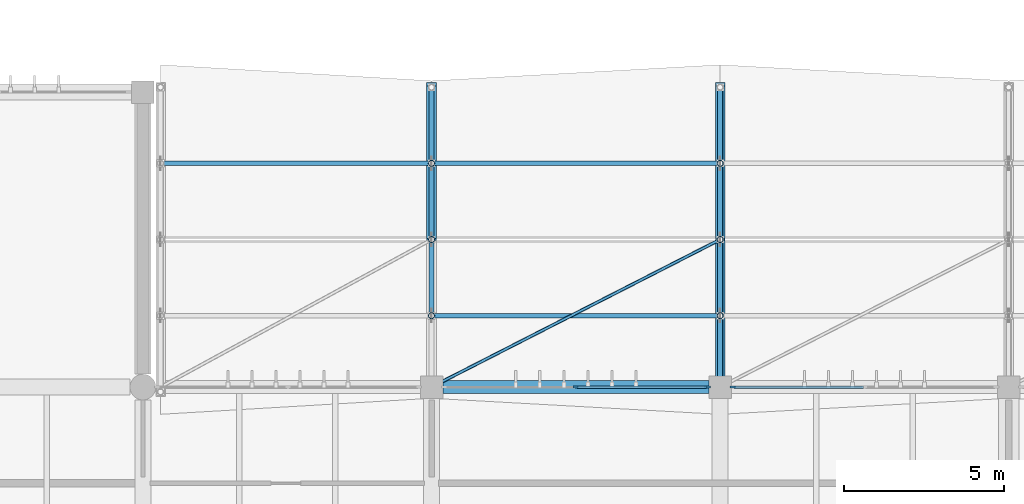
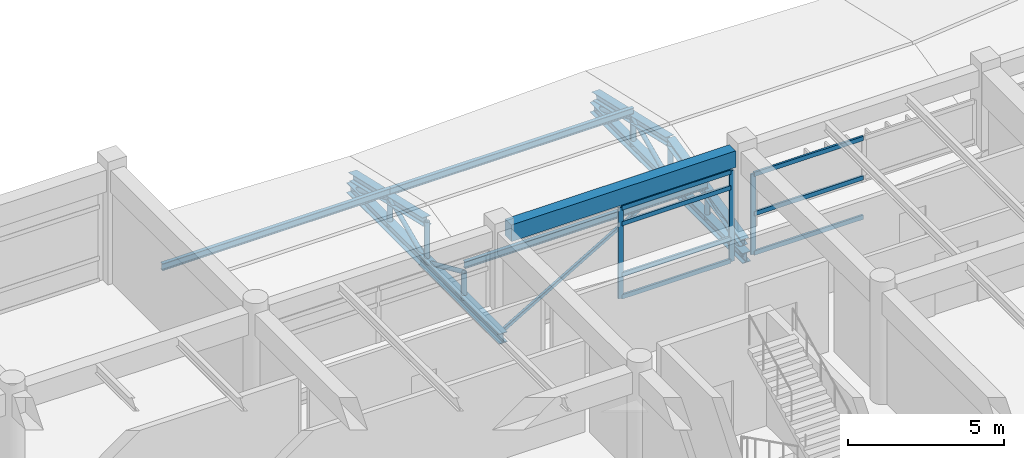
# One storey, part 19 of 90: 30 members, 3 beams, 2 elements without a shape of their own.
"""IFC4 building model written with IfcOpenShell, lengths in metres."""

from ifc_helpers import new_model, si_unit, direction, frame, origin, origin_2d, place, context, subcontext, project, spatial, rectangle, hollow_rectangle, hollow_circle, i_section, extrude, material, material_profile, profile_set, type_object, element, aggregate, save


model = new_model("IFC4")

# Units and contexts
model_context = context("Model", 3, precision=1e-05, world=origin(), true_north=direction((0.0, 1.0)))
body_context = subcontext(model_context, "Body", "Model", "MODEL_VIEW")
ifc_project = project(units=[si_unit("LENGTHUNIT", "METRE"), si_unit("AREAUNIT", "SQUARE_METRE"), si_unit("VOLUMEUNIT", "CUBIC_METRE"), si_unit("PLANEANGLEUNIT", "RADIAN"), si_unit("MASSUNIT", "GRAM", prefix="KILO")], contexts=[model_context])

# Site, building, storey
site_placement = place(None, origin())
site = spatial("IfcSite", under=ifc_project, at=site_placement, CompositionType="ELEMENT")
building_placement = place(site_placement, origin())
building = spatial("IfcBuilding", under=site, at=building_placement, Name="Bozkorgan Art Gallery", CompositionType="ELEMENT")
storey_placement = place(building_placement, frame((0.0, 0.0, 5.39990234375)))
storey = spatial("IfcBuildingStorey", under=building, at=storey_placement, Name="L01", CompositionType="ELEMENT", Elevation=5.39990234375)

# Beams
ifc_material_1 = material(Name="Concrete C35/45", Category="concrete")
ifc_material_profile_1 = material_profile(ifc_material_1, rectangle(XDim=0.39990234375, YDim=0.64990234375, at=origin_2d()), Name="RC 400x650")
ifc_profile_set_1 = profile_set([ifc_material_profile_1], Name="Concrete C35/45")
beam_type_1 = type_object("IfcBeamType", Name="BEAM-SP-69", PredefinedType="SPANDREL", material=ifc_profile_set_1)
beam_placement = place(storey_placement, frame((38.35009765625, 20.0, 4.114990234375), z_axis=(1.0, 0.0, 0.0), x_axis=(0.0, 1.0, 0.0)))
element("IfcBeam", 1, at=beam_placement, inside=storey, type_object=beam_type_1, Name="V1 L01 spandrel X (38-47, 20.0)", PredefinedType="SPANDREL", context=body_context, shape_type="SweptSolid", body=[
    extrude(rectangle(XDim=0.39990234375, YDim=0.64990234375, at=origin_2d()), origin(), (0.0, 0.0, 1.0), 8.2998046875),
])
ifc_material_2 = material(Name="Steel S355J2", Category="steel")
ifc_material_profile_2 = material_profile(ifc_material_2, i_section(OverallWidth=0.300048828125, OverallDepth=0.39990234375, WebThickness=0.013427734375, FlangeThickness=0.02392578125, FilletRadius=0.027099609375, at=origin_2d()), Name="HEB 400")
ifc_profile_set_2 = profile_set([ifc_material_profile_2], Name="Steel S355J2")
beam_type_2 = type_object("IfcBeamType", Name="BEAM-TB-49", PredefinedType="BEAM", material=ifc_profile_set_2)
for number, where, z_axis, x_axis, name in (
    (2, (38.0, 19.7099609375, 0.2001953125), (0.0, 1.0, 0.0), (-1.0, 0.0, 0.0), "ROOF-V1-STEP1 roof truss 2 bottom chord"),
    (3, (47.0, 19.7099609375, 0.2001953125), (0.0, 1.0, 0.0), (-1.0, 0.0, 0.0), "ROOF-V1-STEP1 roof truss 3 bottom chord"),
):
    element("IfcBeam", number, at=place(storey_placement, frame(where, z_axis=z_axis, x_axis=x_axis)), inside=storey, type_object=beam_type_2, Name=name, PredefinedType="BEAM", context=body_context, shape_type="SweptSolid", body=[
        extrude(i_section(OverallWidth=0.300048828125, OverallDepth=0.39990234375, WebThickness=0.013427734375, FlangeThickness=0.02392578125, FilletRadius=0.027099609375, at=origin_2d()), origin(), (0.0, 0.0, 1.0), 9.780029296875),
    ])

# Curtain wall, members
ifc_material_3 = material(Name="Anodised Bronze Aluminium", Category="aluminium")
curtain_wall_type_1 = type_object("IfcCurtainWallType", Name="CW-CW-42", PredefinedType="NOTDEFINED", material=ifc_material_3)
curtain_wall_1_placement = place(storey_placement, origin())
curtain_wall_1 = element("IfcCurtainWall", 4, at=curtain_wall_1_placement, inside=storey, type_object=curtain_wall_type_1, Name="L01 unitised curtain wall CW-V1-L01-1N-07", PredefinedType="NOTDEFINED")
ifc_material_profile_3 = material_profile(ifc_material_3, rectangle(XDim=0.06494140625, YDim=0.179931640625, at=origin_2d()), Name="ALU MULLION 65x180")
ifc_profile_set_3 = profile_set([ifc_material_profile_3], Name="Anodised Bronze Aluminium")
member_type_1 = type_object("IfcMemberType", Name="CWM-01", PredefinedType="MULLION", material=ifc_profile_set_3)
member_1_placement = place(storey_placement, frame((42.5, 20.0, 0.02001953125), z_axis=(0.0, 0.0, 1.0), x_axis=(0.0, 1.0, 0.0)))
member_1 = element("IfcMember", 5, at=member_1_placement, type_object=member_type_1, Name="CW-42 mullion 2", PredefinedType="MULLION", context=body_context, shape_type="SweptSolid", body=[
    extrude(rectangle(XDim=0.06494140625, YDim=0.179931640625, at=origin_2d()), origin(), (0.0, 0.0, 1.0), 3.55517578125),
])
member_2_placement = place(storey_placement, frame((46.6025390625, 20.0, 0.02001953125), z_axis=(0.0, 0.0, 1.0), x_axis=(0.0, 1.0, 0.0)))
member_2 = element("IfcMember", 6, at=member_2_placement, type_object=member_type_1, Name="CW-42 mullion 3", PredefinedType="MULLION", context=body_context, shape_type="SweptSolid", body=[
    extrude(rectangle(XDim=0.06494140625, YDim=0.179931640625, at=origin_2d()), origin(), (0.0, 0.0, 1.0), 3.55517578125),
])

# Curtain wall, member
curtain_wall_type_2 = type_object("IfcCurtainWallType", Name="CW-CW-83", PredefinedType="NOTDEFINED", material=ifc_material_3)
curtain_wall_2_placement = place(storey_placement, origin())
curtain_wall_2 = element("IfcCurtainWall", 7, at=curtain_wall_2_placement, inside=storey, type_object=curtain_wall_type_2, Name="L01 unitised curtain wall CW-V1-L01-1N-09", PredefinedType="NOTDEFINED")
member_3_placement = place(storey_placement, frame((47.3974609375, 20.0, 0.02001953125), z_axis=(0.0, 0.0, 1.0), x_axis=(0.0, 1.0, 0.0)))
member_3 = element("IfcMember", 8, at=member_3_placement, type_object=member_type_1, Name="CW-83 mullion 1", PredefinedType="MULLION", context=body_context, shape_type="SweptSolid", body=[
    extrude(rectangle(XDim=0.06494140625, YDim=0.179931640625, at=origin_2d()), origin(), (0.0, 0.0, 1.0), 3.155029296875),
])

# Member
ifc_material_profile_4 = material_profile(ifc_material_3, rectangle(XDim=0.074951171875, YDim=0.169921875, at=origin_2d()), Name="ALU TRANSOM 75x170")
ifc_profile_set_4 = profile_set([ifc_material_profile_4], Name="Anodised Bronze Aluminium")
member_type_2 = type_object("IfcMemberType", Name="CWT-02", PredefinedType="USERDEFINED", material=ifc_profile_set_4)
member_4_placement = place(storey_placement, frame((42.532470703125, 20.0, 0.0576171875), z_axis=(1.0, 0.0, 0.0), x_axis=(0.0, 1.0, 0.0)))
member_4 = element("IfcMember", 9, at=member_4_placement, type_object=member_type_2, Name="CW-42 transom 2.1", ObjectType="TRANSOM", PredefinedType="USERDEFINED", context=body_context, shape_type="SweptSolid", body=[
    extrude(rectangle(XDim=0.074951171875, YDim=0.169921875, at=origin_2d()), origin(), (0.0, 0.0, 1.0), 4.03759765625),
])

member_5_placement = place(storey_placement, frame((42.532470703125, 20.0, 0.920166015625), z_axis=(1.0, 0.0, 0.0), x_axis=(0.0, 1.0, 0.0)))
member_5 = element("IfcMember", 10, at=member_5_placement, type_object=member_type_2, Name="CW-42 transom 2.2", ObjectType="TRANSOM", PredefinedType="USERDEFINED", context=body_context, shape_type="SweptSolid", body=[
    extrude(rectangle(XDim=0.074951171875, YDim=0.169921875, at=origin_2d()), origin(), (0.0, 0.0, 1.0), 4.03759765625),
])

member_6_placement = place(storey_placement, frame((42.532470703125, 20.0, 2.925048828125), z_axis=(1.0, 0.0, 0.0), x_axis=(0.0, 1.0, 0.0)))
member_6 = element("IfcMember", 11, at=member_6_placement, type_object=member_type_2, Name="CW-42 transom 2.3", ObjectType="TRANSOM", PredefinedType="USERDEFINED", context=body_context, shape_type="SweptSolid", body=[
    extrude(rectangle(XDim=0.074951171875, YDim=0.169921875, at=origin_2d()), origin(), (0.0, 0.0, 1.0), 4.03759765625),
])

member_7_placement = place(storey_placement, frame((42.532470703125, 20.0, 3.53759765625), z_axis=(1.0, 0.0, 0.0), x_axis=(0.0, 1.0, 0.0)))
member_7 = element("IfcMember", 12, at=member_7_placement, type_object=member_type_2, Name="CW-42 transom 2.4", ObjectType="TRANSOM", PredefinedType="USERDEFINED", context=body_context, shape_type="SweptSolid", body=[
    extrude(rectangle(XDim=0.074951171875, YDim=0.169921875, at=origin_2d()), origin(), (0.0, 0.0, 1.0), 4.03759765625),
])

aggregate(curtain_wall_1, [member_1, member_2, member_4, member_5, member_6, member_7])

member_8_placement = place(storey_placement, frame((47.429931640625, 20.0, 0.0576171875), z_axis=(1.0, 0.0, 0.0), x_axis=(0.0, 1.0, 0.0)))
member_8 = element("IfcMember", 13, at=member_8_placement, type_object=member_type_2, Name="CW-83 transom 1.1", ObjectType="TRANSOM", PredefinedType="USERDEFINED", context=body_context, shape_type="SweptSolid", body=[
    extrude(rectangle(XDim=0.074951171875, YDim=0.169921875, at=origin_2d()), origin(), (0.0, 0.0, 1.0), 4.03759765625),
])

member_9_placement = place(storey_placement, frame((47.429931640625, 20.0, 1.59716796875), z_axis=(1.0, 0.0, 0.0), x_axis=(0.0, 1.0, 0.0)))
member_9 = element("IfcMember", 14, at=member_9_placement, type_object=member_type_2, Name="CW-83 transom 1.2", ObjectType="TRANSOM", PredefinedType="USERDEFINED", context=body_context, shape_type="SweptSolid", body=[
    extrude(rectangle(XDim=0.074951171875, YDim=0.169921875, at=origin_2d()), origin(), (0.0, 0.0, 1.0), 4.03759765625),
])

member_10_placement = place(storey_placement, frame((47.429931640625, 20.0, 3.1376953125), z_axis=(1.0, 0.0, 0.0), x_axis=(0.0, 1.0, 0.0)))
member_10 = element("IfcMember", 15, at=member_10_placement, type_object=member_type_2, Name="CW-83 transom 1.3", ObjectType="TRANSOM", PredefinedType="USERDEFINED", context=body_context, shape_type="SweptSolid", body=[
    extrude(rectangle(XDim=0.074951171875, YDim=0.169921875, at=origin_2d()), origin(), (0.0, 0.0, 1.0), 4.03759765625),
])

aggregate(curtain_wall_2, [member_3, member_8, member_9, member_10])

# Members
ifc_material_profile_5 = material_profile(ifc_material_2, i_section(OverallWidth=0.135009765625, OverallDepth=0.27001953125, WebThickness=0.006591796875, FlangeThickness=0.01025390625, FilletRadius=0.014892578125, at=origin_2d()), Name="IPE 270")
ifc_profile_set_5 = profile_set([ifc_material_profile_5], Name="Steel S355J2")
member_type_3 = type_object("IfcMemberType", Name="MEMBER-PR-57", PredefinedType="PURLIN", material=ifc_profile_set_5)
member_11_placement = place(storey_placement, frame((29.550048828125, 26.97509765625, 1.5517578125), z_axis=(1.0, 0.0, 0.0), x_axis=(0.0, 1.0, 0.0)))
element("IfcMember", 16, at=member_11_placement, inside=storey, type_object=member_type_3, Name="ROOF-V1-STEP1 roof purlin 1N", PredefinedType="PURLIN", context=body_context, shape_type="SweptSolid", body=[
    extrude(i_section(OverallWidth=0.135009765625, OverallDepth=0.27001953125, WebThickness=0.006591796875, FlangeThickness=0.01025390625, FilletRadius=0.014892578125, at=origin_2d()), origin(), (0.0, 0.0, 1.0), 8.449951171875),
])
for number, where, z_axis, x_axis, name in (
    (17, (38.0, 22.22509765625, 1.5517578125), (1.0, 0.0, 0.0), (0.0, 1.0, 0.0), "ROOF-V1-STEP1 roof purlin 2S"),
    (18, (38.0, 26.97509765625, 1.5517578125), (1.0, 0.0, 0.0), (0.0, 1.0, 0.0), "ROOF-V1-STEP1 roof purlin 2N"),
):
    element("IfcMember", number, at=place(storey_placement, frame(where, z_axis=z_axis, x_axis=x_axis)), inside=storey, type_object=member_type_3, Name=name, PredefinedType="PURLIN", context=body_context, shape_type="SweptSolid", body=[
        extrude(i_section(OverallWidth=0.135009765625, OverallDepth=0.27001953125, WebThickness=0.006591796875, FlangeThickness=0.01025390625, FilletRadius=0.014892578125, at=origin_2d()), origin(), (0.0, 0.0, 1.0), 9.0),
    ])
ifc_material_profile_6 = material_profile(ifc_material_2, i_section(OverallWidth=0.300048828125, OverallDepth=0.31005859375, WebThickness=0.009033203125, FlangeThickness=0.015380859375, FilletRadius=0.027099609375, at=origin_2d()), Name="HEA 320")
ifc_profile_set_6 = profile_set([ifc_material_profile_6], Name="Steel S355J2")
member_type_4 = type_object("IfcMemberType", Name="MEMBER-TC-13", PredefinedType="CHORD", material=ifc_profile_set_6)
for number, where, z_axis, x_axis, name in (
    (19, (38.0, 24.60009765625, 1.81005859375), (0.0, 0.974367556786, -0.224961917408), (-1.0, 0.0, 0.0), "ROOF-V1-STEP1 roof truss 2 north top chord"),
    (20, (47.0, 19.85009765625, 0.71337890625), (0.0, 0.974367556786, 0.224961917408), (-1.0, 0.0, 0.0), "ROOF-V1-STEP1 roof truss 3 south top chord"),
    (21, (47.0, 24.60009765625, 1.81005859375), (0.0, 0.974367556786, -0.224961917408), (-1.0, 0.0, 0.0), "ROOF-V1-STEP1 roof truss 3 north top chord"),
):
    element("IfcMember", number, at=place(storey_placement, frame(where, z_axis=z_axis, x_axis=x_axis)), inside=storey, type_object=member_type_4, Name=name, PredefinedType="CHORD", context=body_context, shape_type="SweptSolid", body=[
        extrude(i_section(OverallWidth=0.300048828125, OverallDepth=0.31005859375, WebThickness=0.009033203125, FlangeThickness=0.015380859375, FilletRadius=0.027099609375, at=origin_2d()), origin(), (0.0, 0.0, 1.0), 4.875),
    ])
ifc_material_profile_7 = material_profile(ifc_material_2, hollow_circle(Radius=0.096923828125, WallThickness=0.008056640625, at=origin_2d()), Name="CHS 193.7x8")
ifc_profile_set_7 = profile_set([ifc_material_profile_7], Name="Steel S355J2")
member_type_5 = type_object("IfcMemberType", Name="MEMBER-TP-46", PredefinedType="POST", material=ifc_profile_set_7)
member_12_placement = place(storey_placement, frame((38.0, 22.22509765625, 0.2001953125), z_axis=(0.0, 0.0, 1.0), x_axis=(1.0, 0.0, 0.0)))
element("IfcMember", 22, at=member_12_placement, inside=storey, type_object=member_type_5, Name="ROOF-V1-STEP1 roof truss 2 post 1", PredefinedType="POST", context=body_context, shape_type="SweptSolid", body=[
    extrude(hollow_circle(Radius=0.096923828125, WallThickness=0.008056640625, at=origin_2d()), origin(), (0.0, 0.0, 1.0), 1.0615234375),
])
member_13_placement = place(storey_placement, frame((38.0, 24.60009765625, 0.2001953125), z_axis=(0.0, 0.0, 1.0), x_axis=(1.0, 0.0, 0.0)))
element("IfcMember", 23, at=member_13_placement, inside=storey, type_object=member_type_5, Name="ROOF-V1-STEP1 roof truss 2 post 2", PredefinedType="POST", context=body_context, shape_type="SweptSolid", body=[
    extrude(hollow_circle(Radius=0.096923828125, WallThickness=0.008056640625, at=origin_2d()), origin(), (0.0, 0.0, 1.0), 1.60986328125),
])
for number, where, z_axis, x_axis, name in (
    (24, (38.0, 26.97509765625, 0.2001953125), (0.0, 0.0, 1.0), (1.0, 0.0, 0.0), "ROOF-V1-STEP1 roof truss 2 post 3"),
    (25, (47.0, 22.22509765625, 0.2001953125), (0.0, 0.0, 1.0), (1.0, 0.0, 0.0), "ROOF-V1-STEP1 roof truss 3 post 1"),
):
    element("IfcMember", number, at=place(storey_placement, frame(where, z_axis=z_axis, x_axis=x_axis)), inside=storey, type_object=member_type_5, Name=name, PredefinedType="POST", context=body_context, shape_type="SweptSolid", body=[
        extrude(hollow_circle(Radius=0.096923828125, WallThickness=0.008056640625, at=origin_2d()), origin(), (0.0, 0.0, 1.0), 1.0615234375),
    ])
member_14_placement = place(storey_placement, frame((47.0, 24.60009765625, 0.2001953125), z_axis=(0.0, 0.0, 1.0), x_axis=(1.0, 0.0, 0.0)))
element("IfcMember", 26, at=member_14_placement, inside=storey, type_object=member_type_5, Name="ROOF-V1-STEP1 roof truss 3 post 2", PredefinedType="POST", context=body_context, shape_type="SweptSolid", body=[
    extrude(hollow_circle(Radius=0.096923828125, WallThickness=0.008056640625, at=origin_2d()), origin(), (0.0, 0.0, 1.0), 1.60986328125),
])
member_15_placement = place(storey_placement, frame((47.0, 26.97509765625, 0.2001953125), z_axis=(0.0, 0.0, 1.0), x_axis=(1.0, 0.0, 0.0)))
element("IfcMember", 27, at=member_15_placement, inside=storey, type_object=member_type_5, Name="ROOF-V1-STEP1 roof truss 3 post 3", PredefinedType="POST", context=body_context, shape_type="SweptSolid", body=[
    extrude(hollow_circle(Radius=0.096923828125, WallThickness=0.008056640625, at=origin_2d()), origin(), (0.0, 0.0, 1.0), 1.0615234375),
])
ifc_material_profile_8 = material_profile(ifc_material_2, hollow_circle(Radius=0.084228515625, WallThickness=0.008056640625, at=origin_2d()), Name="CHS 168.3x8")
ifc_profile_set_8 = profile_set([ifc_material_profile_8], Name="Steel S355J2")
member_type_6 = type_object("IfcMemberType", Name="MEMBER-TW-40", PredefinedType="BRACE", material=ifc_profile_set_8)
for number, where, z_axis, x_axis, name in (
    (28, (38.0, 22.22509765625, 1.26171875), (0.0, 0.912958131658, -0.408053243878), (-1.0, 0.0, 0.0), "ROOF-V1-STEP1 roof truss 2 diagonal 2"),
    (29, (38.0, 24.60009765625, 0.2001953125), (0.0, 0.912958131658, 0.408053243878), (-1.0, 0.0, 0.0), "ROOF-V1-STEP1 roof truss 2 diagonal 3"),
    (30, (38.0, 26.97509765625, 1.26171875), (0.0, 0.912958131658, -0.408053243878), (-1.0, 0.0, 0.0), "ROOF-V1-STEP1 roof truss 2 diagonal 4"),
    (31, (47.0, 19.85009765625, 0.2001953125), (0.0, 0.912958131658, 0.408053243878), (-1.0, 0.0, 0.0), "ROOF-V1-STEP1 roof truss 3 diagonal 1"),
    (32, (47.0, 22.22509765625, 1.26171875), (0.0, 0.912958131658, -0.408053243878), (-1.0, 0.0, 0.0), "ROOF-V1-STEP1 roof truss 3 diagonal 2"),
    (33, (47.0, 24.60009765625, 0.2001953125), (0.0, 0.912958131658, 0.408053243878), (-1.0, 0.0, 0.0), "ROOF-V1-STEP1 roof truss 3 diagonal 3"),
    (34, (47.0, 26.97509765625, 1.26171875), (0.0, 0.912958131658, -0.408053243878), (-1.0, 0.0, 0.0), "ROOF-V1-STEP1 roof truss 3 diagonal 4"),
):
    element("IfcMember", number, at=place(storey_placement, frame(where, z_axis=z_axis, x_axis=x_axis)), inside=storey, type_object=member_type_6, Name=name, PredefinedType="BRACE", context=body_context, shape_type="SweptSolid", body=[
        extrude(hollow_circle(Radius=0.084228515625, WallThickness=0.008056640625, at=origin_2d()), origin(), (0.0, 0.0, 1.0), 2.601318359375),
    ])
ifc_material_profile_9 = material_profile(ifc_material_2, hollow_rectangle(XDim=0.10009765625, YDim=0.14990234375, WallThickness=0.008056640625, InnerFilletRadius=0.011962890625, OuterFilletRadius=0.02001953125, at=origin_2d()), Name="RHS 150x100x8")
ifc_profile_set_9 = profile_set([ifc_material_profile_9], Name="Steel S355J2")
member_type_7 = type_object("IfcMemberType", Name="MEMBER-WB-10", PredefinedType="BRACE", material=ifc_profile_set_9)
member_16_placement = place(storey_placement, frame((38.0, 20.0, 0.2001953125), z_axis=(0.890430766754, 0.455118720355, 0.0), x_axis=(-0.455118720355, 0.890430766754, 0.0)))
element("IfcMember", 35, at=member_16_placement, inside=storey, type_object=member_type_7, Name="ROOF-V1-STEP1 roof diaphragm wind brace 2", PredefinedType="BRACE", context=body_context, shape_type="SweptSolid", body=[
    extrude(hollow_rectangle(XDim=0.10009765625, YDim=0.14990234375, WallThickness=0.008056640625, InnerFilletRadius=0.011962890625, OuterFilletRadius=0.02001953125, at=origin_2d()), origin(), (0.0, 0.0, 1.0), 10.107421875),
])

save(model, "model.ifc")
